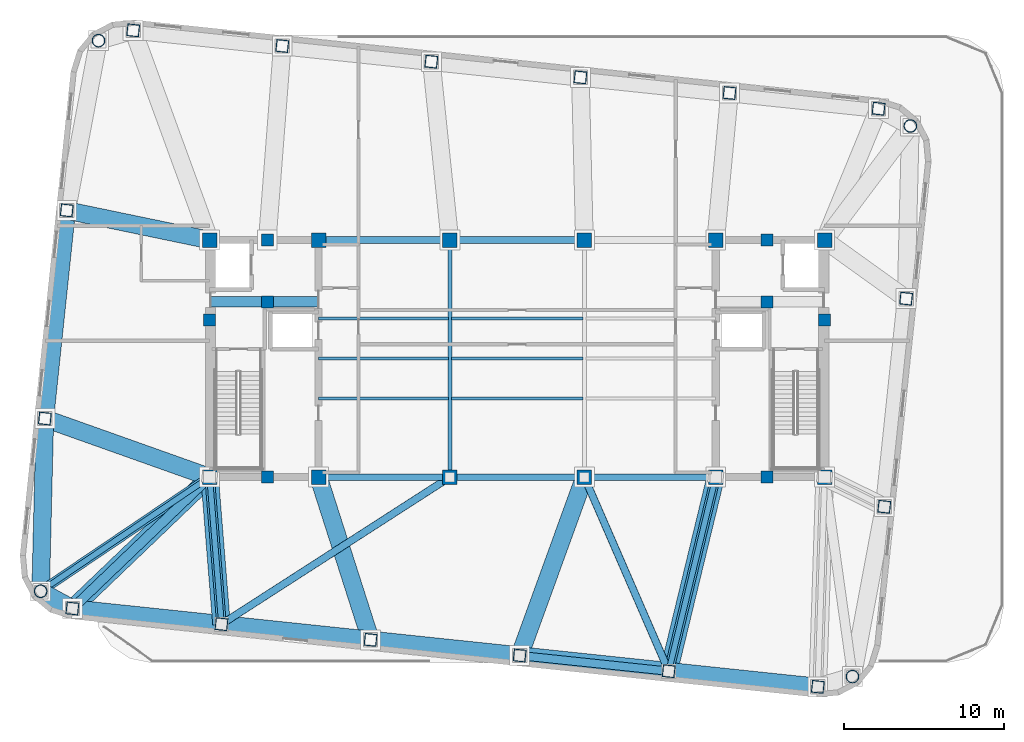
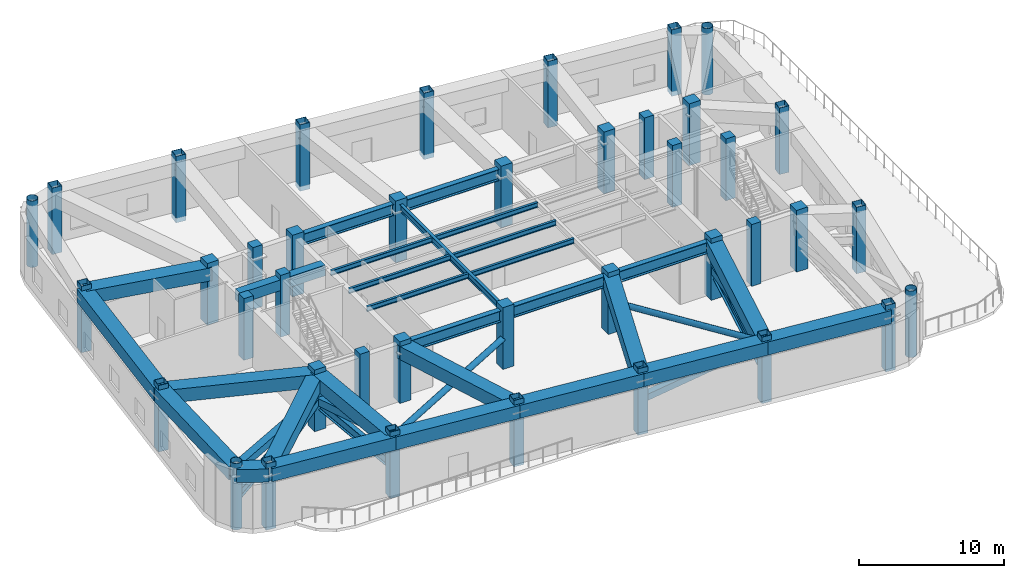
# One storey, part 1 of 9: 40 columns, 31 beams, 7 members.
"""IFC4 building model written with IfcOpenShell, lengths in metres."""

from ifc_helpers import new_model, si_unit, direction, frame, origin, origin_2d, place, context, subcontext, project, spatial, rectangle, hollow_rectangle, hollow_circle, i_section, extrude, material, material_profile, profile_set, type_object, element, save


model = new_model("IFC4")

# Units and contexts
model_context = context("Model", 3, precision=1e-05, world=origin(), true_north=direction((0.0, 1.0)))
body_context = subcontext(model_context, "Body", "Model", "MODEL_VIEW")
ifc_project = project(units=[si_unit("LENGTHUNIT", "METRE"), si_unit("AREAUNIT", "SQUARE_METRE"), si_unit("VOLUMEUNIT", "CUBIC_METRE"), si_unit("PLANEANGLEUNIT", "RADIAN"), si_unit("MASSUNIT", "GRAM", prefix="KILO")], contexts=[model_context])

# Site, building, storey
site_placement = place(None, origin())
site = spatial("IfcSite", under=ifc_project, at=site_placement, CompositionType="ELEMENT")
building_placement = place(site_placement, origin())
building = spatial("IfcBuilding", under=site, at=building_placement, Name="Voryun Gate Residences", CompositionType="ELEMENT")
storey_placement = place(building_placement, frame((0.0, 0.0, 254.800048828125)))
storey = spatial("IfcBuildingStorey", under=building, at=storey_placement, Name="L63", CompositionType="ELEMENT", Elevation=254.800048828125)

# Columns
ifc_material_1 = material(Name="Concrete C50/60", Category="concrete")
ifc_material_profile_1 = material_profile(ifc_material_1, rectangle(XDim=0.75, YDim=0.75, at=origin_2d()), Name="RC-750x750")
ifc_profile_set_1 = profile_set([ifc_material_profile_1], Name="Concrete C50/60")
column_type_1 = type_object("IfcColumnType", Name="COL_CORE_750", PredefinedType="COLUMN", material=ifc_profile_set_1)
for number, where, z_axis, x_axis, name in (
    (1, (-19.199951171875, 2.39990234375, 0.0), (0.0, 0.0, 1.0), (1.0, 0.0, 0.0), "L63 Core boundary column WC-MW"),
    (2, (-15.60009765625, -7.39990234375, 0.0), (0.0, 0.0, 1.0), (1.0, 0.0, 0.0), "L63 Core boundary column WC-SM"),
    (3, (-15.60009765625, 7.39990234375, 0.0), (0.0, 0.0, 1.0), (1.0, 0.0, 0.0), "L63 Core boundary column WC-NM"),
    (4, (-15.60009765625, 3.550048828125, 0.0), (0.0, 0.0, 1.0), (1.0, 0.0, 0.0), "L63 Core boundary column WC-MM"),
    (5, (15.60009765625, 3.550048828125, 0.0), (0.0, 0.0, 1.0), (1.0, 0.0, 0.0), "L63 Core boundary column EC-MM"),
    (6, (15.60009765625, -7.39990234375, 0.0), (0.0, 0.0, 1.0), (1.0, 0.0, 0.0), "L63 Core boundary column EC-SM"),
    (7, (15.60009765625, 7.39990234375, 0.0), (0.0, 0.0, 1.0), (1.0, 0.0, 0.0), "L63 Core boundary column EC-NM"),
    (8, (19.199951171875, 2.39990234375, 0.0), (0.0, 0.0, 1.0), (1.0, 0.0, 0.0), "L63 Core boundary column EC-ME"),
):
    element("IfcColumn", number, at=place(storey_placement, frame(where, z_axis=z_axis, x_axis=x_axis)), inside=storey, type_object=column_type_1, Name=name, PredefinedType="COLUMN", context=body_context, shape_type="SweptSolid", body=[
        extrude(rectangle(XDim=0.75, YDim=0.75, at=origin_2d()), origin(), (0.0, 0.0, 1.0), 5.199951171875),
    ])
ifc_material_2 = material(Name="Concrete C50/60", Category="concrete")
ifc_material_profile_2 = material_profile(ifc_material_2, rectangle(XDim=0.89990234375, YDim=0.89990234375, at=origin_2d()), Name="RC-900x900")
ifc_profile_set_2 = profile_set([ifc_material_profile_2], Name="Concrete C50/60")
column_type_2 = type_object("IfcColumnType", Name="COL_CORE_900", PredefinedType="COLUMN", material=ifc_profile_set_2)
for number, where, z_axis, x_axis, name in (
    (9, (-19.199951171875, -7.39990234375, 0.0), (0.0, 0.0, 1.0), (1.0, 0.0, 0.0), "L63 Core boundary column WC-SW"),
    (10, (-19.199951171875, 7.39990234375, 0.0), (0.0, 0.0, 1.0), (1.0, 0.0, 0.0), "L63 Core boundary column WC-NW"),
    (11, (-12.39990234375, -7.39990234375, 0.0), (0.0, 0.0, 1.0), (1.0, 0.0, 0.0), "L63 Core boundary column WC-SE"),
    (12, (-12.39990234375, 7.39990234375, 0.0), (0.0, 0.0, 1.0), (1.0, 0.0, 0.0), "L63 Core boundary column WC-NE"),
    (13, (12.39990234375, -7.39990234375, 0.0), (0.0, 0.0, 1.0), (1.0, 0.0, 0.0), "L63 Core boundary column EC-SW"),
    (14, (12.39990234375, 7.39990234375, 0.0), (0.0, 0.0, 1.0), (1.0, 0.0, 0.0), "L63 Core boundary column EC-NW"),
    (15, (19.199951171875, -7.39990234375, 0.0), (0.0, 0.0, 1.0), (1.0, 0.0, 0.0), "L63 Core boundary column EC-SE"),
    (16, (19.199951171875, 7.39990234375, 0.0), (0.0, 0.0, 1.0), (1.0, 0.0, 0.0), "L63 Core boundary column EC-NE"),
    (17, (-4.199951171875, -7.39990234375, 0.0), (0.0, 0.0, 1.0), (1.0, 0.0, 0.0), "L63 Interior spine column SP-WS"),
    (18, (-4.199951171875, 7.39990234375, 0.0), (0.0, 0.0, 1.0), (1.0, 0.0, 0.0), "L63 Interior spine column SP-WN"),
    (19, (4.199951171875, -7.39990234375, 0.0), (0.0, 0.0, 1.0), (1.0, 0.0, 0.0), "L63 Interior spine column SP-ES"),
    (20, (4.199951171875, 7.39990234375, 0.0), (0.0, 0.0, 1.0), (1.0, 0.0, 0.0), "L63 Interior spine column SP-EN"),
):
    element("IfcColumn", number, at=place(storey_placement, frame(where, z_axis=z_axis, x_axis=x_axis)), inside=storey, type_object=column_type_2, Name=name, PredefinedType="COLUMN", context=body_context, shape_type="SweptSolid", body=[
        extrude(rectangle(XDim=0.89990234375, YDim=0.89990234375, at=origin_2d()), origin(), (0.0, 0.0, 1.0), 5.199951171875),
    ])
ifc_material_3 = material(Name="Steel SM355", Category="steel")
ifc_material_profile_3 = material_profile(ifc_material_3, hollow_circle(Radius=0.39990234375, WallThickness=0.028076171875, at=origin_2d()), Name="CHS-800x28")
ifc_profile_set_3 = profile_set([ifc_material_profile_3], Name="Steel SM355")
column_type_3 = type_object("IfcColumnType", Name="COL_CRN_800", PredefinedType="COLUMN", material=ifc_profile_set_3)
for number, where, z_axis, x_axis, name in (
    (21, (20.939453125, -19.855224609375, -0.400146484375), (0.0, 0.0, 1.0), (0.994521895368, -0.104528463268, 0.0), "L63 Exoskeleton column CSE"),
    (22, (24.55322265625, 14.52734375, -0.400146484375), (0.0, 0.0, 1.0), (0.994521895368, -0.104528463268, 0.0), "L63 Exoskeleton column CNE"),
    (23, (-26.139404296875, 19.855224609375, -0.400146484375), (0.0, 0.0, 1.0), (0.994521895368, -0.104528463268, 0.0), "L63 Exoskeleton column CNW"),
    (24, (-29.753173828125, -14.52734375, -0.400146484375), (0.0, 0.0, 1.0), (0.994521895368, -0.104528463268, 0.0), "L63 Exoskeleton column CSW"),
):
    element("IfcColumn", number, at=place(storey_placement, frame(where, z_axis=z_axis, x_axis=x_axis)), inside=storey, type_object=column_type_3, Name=name, PredefinedType="COLUMN", context=body_context, shape_type="SweptSolid", body=[
        extrude(hollow_circle(Radius=0.39990234375, WallThickness=0.028076171875, at=origin_2d()), origin(), (0.0, 0.0, 1.0), 5.60009765625),
    ])
ifc_material_4 = material(Name="Steel SM355", Category="steel")
ifc_material_profile_4 = material_profile(ifc_material_4, hollow_rectangle(XDim=0.75, YDim=0.75, WallThickness=0.02490234375, at=origin_2d()), Name="BOX-750x750x25")
ifc_profile_set_4 = profile_set([ifc_material_profile_4], Name="Steel SM355")
column_type_4 = type_object("IfcColumnType", Name="COL_EXO_B5", PredefinedType="COLUMN", material=ifc_profile_set_4)
for number, where, z_axis, x_axis, name in (
    (25, (-27.76904296875, -15.6044921875, -0.400146484375), (0.0, 0.0, 1.0), (0.994521895368, -0.104528463268, 0.0), "L63 Exoskeleton column S1"),
    (26, (-18.460205078125, -16.5830078125, -0.400146484375), (0.0, 0.0, 1.0), (0.994521895368, -0.104528463268, 0.0), "L63 Exoskeleton column S2"),
    (27, (-9.151611328125, -17.561279296875, -0.400146484375), (0.0, 0.0, 1.0), (0.994521895368, -0.104528463268, 0.0), "L63 Exoskeleton column S3"),
    (28, (0.1572265625, -18.539794921875, -0.400146484375), (0.0, 0.0, 1.0), (0.994521895368, -0.104528463268, 0.0), "L63 Exoskeleton column S4"),
    (29, (9.4658203125, -19.51806640625, -0.400146484375), (0.0, 0.0, 1.0), (0.994521895368, -0.104528463268, 0.0), "L63 Exoskeleton column S5"),
    (30, (18.774658203125, -20.49658203125, -0.400146484375), (0.0, 0.0, 1.0), (0.994521895368, -0.104528463268, 0.0), "L63 Exoskeleton column S6"),
    (31, (22.922607421875, -9.25244140625, -0.400146484375), (0.0, 0.0, 1.0), (0.994521895368, -0.104528463268, 0.0), "L63 Exoskeleton column E1"),
    (32, (24.28857421875, 3.743896484375, -0.400146484375), (0.0, 0.0, 1.0), (0.994521895368, -0.104528463268, 0.0), "L63 Exoskeleton column E2"),
    (33, (22.569091796875, 15.6044921875, -0.400146484375), (0.0, 0.0, 1.0), (0.994521895368, -0.104528463268, 0.0), "L63 Exoskeleton column N1"),
    (34, (13.26025390625, 16.5830078125, -0.400146484375), (0.0, 0.0, 1.0), (0.994521895368, -0.104528463268, 0.0), "L63 Exoskeleton column N2"),
    (35, (3.95166015625, 17.561279296875, -0.400146484375), (0.0, 0.0, 1.0), (0.994521895368, -0.104528463268, 0.0), "L63 Exoskeleton column N3"),
    (36, (-5.357177734375, 18.539794921875, -0.400146484375), (0.0, 0.0, 1.0), (0.994521895368, -0.104528463268, 0.0), "L63 Exoskeleton column N4"),
    (37, (-14.666015625, 19.51806640625, -0.400146484375), (0.0, 0.0, 1.0), (0.994521895368, -0.104528463268, 0.0), "L63 Exoskeleton column N5"),
    (38, (-23.974609375, 20.49658203125, -0.400146484375), (0.0, 0.0, 1.0), (0.994521895368, -0.104528463268, 0.0), "L63 Exoskeleton column N6"),
    (39, (-28.12255859375, 9.25244140625, -0.400146484375), (0.0, 0.0, 1.0), (0.994521895368, -0.104528463268, 0.0), "L63 Exoskeleton column W1"),
    (40, (-29.488525390625, -3.743896484375, -0.400146484375), (0.0, 0.0, 1.0), (0.994521895368, -0.104528463268, 0.0), "L63 Exoskeleton column W2"),
):
    element("IfcColumn", number, at=place(storey_placement, frame(where, z_axis=z_axis, x_axis=x_axis)), inside=storey, type_object=column_type_4, Name=name, PredefinedType="COLUMN", context=body_context, shape_type="SweptSolid", body=[
        extrude(hollow_rectangle(XDim=0.75, YDim=0.75, WallThickness=0.02490234375, at=origin_2d()), origin(), (0.0, 0.0, 1.0), 5.60009765625),
    ])

# Beams
ifc_material_5 = material(Name="Steel SM420", Category="steel")
ifc_material_profile_5 = material_profile(ifc_material_5, hollow_rectangle(XDim=1.10009765625, YDim=1.10009765625, WallThickness=0.035888671875, at=origin_2d()), Name="BOX-1100x1100x36")
ifc_profile_set_5 = profile_set([ifc_material_profile_5], Name="Steel SM420")
beam_type_1 = type_object("IfcBeamType", Name="BM_ARCH_RIB", PredefinedType="USERDEFINED", material=ifc_profile_set_5)
beam_1_placement = place(storey_placement, frame((-27.76904296875, -15.6044921875, 4.25), z_axis=(0.994520592114, -0.104540862157, 0.0), x_axis=(0.104540862157, 0.994520592114, 0.0)))
element("IfcBeam", 41, at=beam_1_placement, inside=storey, type_object=beam_type_1, Name="BM-L63-SPAND-01", ObjectType="GIRDER", PredefinedType="USERDEFINED", context=body_context, shape_type="SweptSolid", body=[
    extrude(hollow_rectangle(XDim=1.10009765625, YDim=1.10009765625, WallThickness=0.035888671875, at=origin_2d()), origin(), (0.0, 0.0, 1.0), 9.360107421875),
])
beam_2_placement = place(storey_placement, frame((-18.460205078125, -16.5830078125, 4.25), z_axis=(0.994523018663, -0.104517775278, 0.0), x_axis=(0.104517775278, 0.994523018663, 0.0)))
element("IfcBeam", 42, at=beam_2_placement, inside=storey, type_object=beam_type_1, Name="BM-L63-SPAND-02", ObjectType="GIRDER", PredefinedType="USERDEFINED", context=body_context, shape_type="SweptSolid", body=[
    extrude(hollow_rectangle(XDim=1.10009765625, YDim=1.10009765625, WallThickness=0.035888671875, at=origin_2d()), origin(), (0.0, 0.0, 1.0), 9.35986328125),
])
beam_3_placement = place(storey_placement, frame((-9.151611328125, -17.561279296875, 4.25), z_axis=(0.994520592114, -0.104540862157, 0.0), x_axis=(0.104540862157, 0.994520592114, 0.0)))
element("IfcBeam", 43, at=beam_3_placement, inside=storey, type_object=beam_type_1, Name="BM-L63-SPAND-03", ObjectType="GIRDER", PredefinedType="USERDEFINED", context=body_context, shape_type="SweptSolid", body=[
    extrude(hollow_rectangle(XDim=1.10009765625, YDim=1.10009765625, WallThickness=0.035888671875, at=origin_2d()), origin(), (0.0, 0.0, 1.0), 9.360107421875),
])
beam_4_placement = place(storey_placement, frame((0.1572265625, -18.539794921875, 4.25), z_axis=(0.994523018663, -0.104517775278, 0.0), x_axis=(0.104517775278, 0.994523018663, 0.0)))
element("IfcBeam", 44, at=beam_4_placement, inside=storey, type_object=beam_type_1, Name="BM-L63-SPAND-04", ObjectType="GIRDER", PredefinedType="USERDEFINED", context=body_context, shape_type="SweptSolid", body=[
    extrude(hollow_rectangle(XDim=1.10009765625, YDim=1.10009765625, WallThickness=0.035888671875, at=origin_2d()), origin(), (0.0, 0.0, 1.0), 9.35986328125),
])
beam_5_placement = place(storey_placement, frame((9.4658203125, -19.51806640625, 4.25), z_axis=(0.994520592114, -0.104540862157, 0.0), x_axis=(0.104540862157, 0.994520592114, 0.0)))
element("IfcBeam", 45, at=beam_5_placement, inside=storey, type_object=beam_type_1, Name="BM-L63-SPAND-05", ObjectType="GIRDER", PredefinedType="USERDEFINED", context=body_context, shape_type="SweptSolid", body=[
    extrude(hollow_rectangle(XDim=1.10009765625, YDim=1.10009765625, WallThickness=0.035888671875, at=origin_2d()), origin(), (0.0, 0.0, 1.0), 9.360107421875),
])
beam_6_placement = place(storey_placement, frame((-28.12255859375, 9.25244140625, 4.25), z_axis=(-0.104528209082, -0.994521922084, 0.0), x_axis=(0.994521922084, -0.104528209082, 0.0)))
element("IfcBeam", 46, at=beam_6_placement, inside=storey, type_object=beam_type_1, Name="BM-L63-SPAND-18", ObjectType="GIRDER", PredefinedType="USERDEFINED", context=body_context, shape_type="SweptSolid", body=[
    extrude(hollow_rectangle(XDim=1.10009765625, YDim=1.10009765625, WallThickness=0.035888671875, at=origin_2d()), origin(), (0.0, 0.0, 1.0), 13.06787109375),
])
beam_7_placement = place(storey_placement, frame((-29.488525390625, -3.743896484375, 4.25), z_axis=(-0.024534711967, -0.999698978647, 0.0), x_axis=(0.999698978647, -0.024534711967, 0.0)))
element("IfcBeam", 47, at=beam_7_placement, inside=storey, type_object=beam_type_1, Name="BM-L63-SPAND-19", ObjectType="GIRDER", PredefinedType="USERDEFINED", context=body_context, shape_type="SweptSolid", body=[
    extrude(hollow_rectangle(XDim=1.10009765625, YDim=1.10009765625, WallThickness=0.035888671875, at=origin_2d()), origin(), (0.0, 0.0, 1.0), 10.78662109375),
])
beam_8_placement = place(storey_placement, frame((-29.753173828125, -14.52734375, 4.25), z_axis=(0.878844363117, -0.477108567746, 0.0), x_axis=(0.477108567746, 0.878844363117, 0.0)))
element("IfcBeam", 48, at=beam_8_placement, inside=storey, type_object=beam_type_1, Name="BM-L63-SPAND-20", ObjectType="GIRDER", PredefinedType="USERDEFINED", context=body_context, shape_type="SweptSolid", body=[
    extrude(hollow_rectangle(XDim=1.10009765625, YDim=1.10009765625, WallThickness=0.035888671875, at=origin_2d()), origin(), (0.0, 0.0, 1.0), 2.257568359375),
])
beam_9_placement = place(storey_placement, frame((-19.199951171875, -7.39990234375, 4.25), z_axis=(-0.722302104769, -0.691577666966, 0.0), x_axis=(0.691577666966, -0.722302104769, 0.0)))
element("IfcBeam", 49, at=beam_9_placement, inside=storey, type_object=beam_type_1, Name="BM-L63-RAD-S1", ObjectType="GIRDER", PredefinedType="USERDEFINED", context=body_context, shape_type="SweptSolid", body=[
    extrude(hollow_rectangle(XDim=1.10009765625, YDim=1.10009765625, WallThickness=0.035888671875, at=origin_2d()), origin(), (0.0, 0.0, 1.0), 11.863525390625),
])
beam_10_placement = place(storey_placement, frame((-19.199951171875, -7.39990234375, 4.25), z_axis=(0.080295011504, -0.996771142804, 0.0), x_axis=(0.996771142804, 0.080295011504, 0.0)))
element("IfcBeam", 50, at=beam_10_placement, inside=storey, type_object=beam_type_1, Name="BM-L63-RAD-S2", ObjectType="GIRDER", PredefinedType="USERDEFINED", context=body_context, shape_type="SweptSolid", body=[
    extrude(hollow_rectangle(XDim=1.10009765625, YDim=1.10009765625, WallThickness=0.035888671875, at=origin_2d()), origin(), (0.0, 0.0, 1.0), 9.212890625),
])
beam_11_placement = place(storey_placement, frame((-12.39990234375, -7.39990234375, 4.25), z_axis=(0.30449089095, -0.952515247819, 0.0), x_axis=(0.952515247819, 0.30449089095, 0.0)))
element("IfcBeam", 51, at=beam_11_placement, inside=storey, type_object=beam_type_1, Name="BM-L63-RAD-S3", ObjectType="GIRDER", PredefinedType="USERDEFINED", context=body_context, shape_type="SweptSolid", body=[
    extrude(hollow_rectangle(XDim=1.10009765625, YDim=1.10009765625, WallThickness=0.035888671875, at=origin_2d()), origin(), (0.0, 0.0, 1.0), 10.66796875),
])
beam_12_placement = place(storey_placement, frame((4.199951171875, -7.39990234375, 4.25), z_axis=(-0.341135931896, -0.940013976476, 0.0), x_axis=(0.940013976476, -0.341135931896, 0.0)))
element("IfcBeam", 52, at=beam_12_placement, inside=storey, type_object=beam_type_1, Name="BM-L63-RAD-S4", ObjectType="GIRDER", PredefinedType="USERDEFINED", context=body_context, shape_type="SweptSolid", body=[
    extrude(hollow_rectangle(XDim=1.10009765625, YDim=1.10009765625, WallThickness=0.035888671875, at=origin_2d()), origin(), (0.0, 0.0, 1.0), 11.850830078125),
])
beam_13_placement = place(storey_placement, frame((12.39990234375, -7.39990234375, 4.25), z_axis=(-0.235323166357, -0.971917181336, 0.0), x_axis=(0.971917181336, -0.235323166357, 0.0)))
element("IfcBeam", 53, at=beam_13_placement, inside=storey, type_object=beam_type_1, Name="BM-L63-RAD-S5", ObjectType="GIRDER", PredefinedType="USERDEFINED", context=body_context, shape_type="SweptSolid", body=[
    extrude(hollow_rectangle(XDim=1.10009765625, YDim=1.10009765625, WallThickness=0.035888671875, at=origin_2d()), origin(), (0.0, 0.0, 1.0), 12.46826171875),
])
beam_14_placement = place(storey_placement, frame((-19.199951171875, 7.39990234375, 4.25), z_axis=(-0.979119049711, 0.203287693907, 0.0), x_axis=(-0.203287693907, -0.979119049711, 0.0)))
element("IfcBeam", 54, at=beam_14_placement, inside=storey, type_object=beam_type_1, Name="BM-L63-RAD-W1", ObjectType="GIRDER", PredefinedType="USERDEFINED", context=body_context, shape_type="SweptSolid", body=[
    extrude(hollow_rectangle(XDim=1.10009765625, YDim=1.10009765625, WallThickness=0.035888671875, at=origin_2d()), origin(), (0.0, 0.0, 1.0), 9.11279296875),
])
beam_15_placement = place(storey_placement, frame((-19.199951171875, -7.39990234375, 4.25), z_axis=(-0.942276939669, 0.334834539688, 0.0), x_axis=(-0.334834539688, -0.942276939669, 0.0)))
element("IfcBeam", 55, at=beam_15_placement, inside=storey, type_object=beam_type_1, Name="BM-L63-RAD-W2", ObjectType="GIRDER", PredefinedType="USERDEFINED", context=body_context, shape_type="SweptSolid", body=[
    extrude(hollow_rectangle(XDim=1.10009765625, YDim=1.10009765625, WallThickness=0.035888671875, at=origin_2d()), origin(), (0.0, 0.0, 1.0), 10.9189453125),
])
ifc_material_6 = material(Name="Concrete C60/75", Category="concrete")
ifc_material_profile_6 = material_profile(ifc_material_6, rectangle(XDim=0.64990234375, YDim=0.89990234375, at=origin_2d()), Name="RC-650x900")
ifc_profile_set_6 = profile_set([ifc_material_profile_6], Name="Concrete C60/75")
beam_type_2 = type_object("IfcBeamType", Name="BM_COUP_RC900", PredefinedType="LINTEL", material=ifc_profile_set_6)
beam_16_placement = place(storey_placement, frame((-19.199951171875, 3.550048828125, 4.349853515625), z_axis=(1.0, 0.0, 0.0), x_axis=(0.0, 1.0, 0.0)))
element("IfcBeam", 56, at=beam_16_placement, inside=storey, type_object=beam_type_2, Name="BM-L63-WC1", PredefinedType="LINTEL", context=body_context, shape_type="SweptSolid", body=[
    extrude(rectangle(XDim=0.64990234375, YDim=0.89990234375, at=origin_2d()), origin(), (0.0, 0.0, 1.0), 6.800048828125),
])
ifc_material_7 = material(Name="Steel SM355", Category="steel")
ifc_material_profile_7 = material_profile(ifc_material_7, i_section(OverallWidth=0.239990234375, OverallDepth=0.550048828125, WebThickness=0.011962890625, FlangeThickness=0.02001953125, FilletRadius=0.01806640625, at=origin_2d()), Name="H-550x240x12x20")
ifc_profile_set_7 = profile_set([ifc_material_profile_7], Name="Steel SM355")
beam_type_3 = type_object("IfcBeamType", Name="BM_GIRD_550", PredefinedType="USERDEFINED", material=ifc_profile_set_7)
beam_17_placement = place(storey_placement, frame((-4.199951171875, -7.39990234375, 4.52490234375), z_axis=(0.0, 1.0, 0.0), x_axis=(-1.0, 0.0, 0.0)))
element("IfcBeam", 57, at=beam_17_placement, inside=storey, type_object=beam_type_3, Name="BM-L63-SPX-W", ObjectType="GIRDER", PredefinedType="USERDEFINED", context=body_context, shape_type="SweptSolid", body=[
    extrude(i_section(OverallWidth=0.239990234375, OverallDepth=0.550048828125, WebThickness=0.011962890625, FlangeThickness=0.02001953125, FilletRadius=0.01806640625, at=origin_2d()), origin(), (0.0, 0.0, 1.0), 14.7998046875),
])
ifc_material_8 = material(Name="Steel SM420", Category="steel")
ifc_material_profile_8 = material_profile(ifc_material_8, i_section(OverallWidth=0.360107421875, OverallDepth=0.800048828125, WebThickness=0.01611328125, FlangeThickness=0.030029296875, FilletRadius=0.01806640625, at=origin_2d()), Name="H-800x360x16x30")
ifc_profile_set_8 = profile_set([ifc_material_profile_8], Name="Steel SM420")
beam_type_4 = type_object("IfcBeamType", Name="BM_OUTRIGGER_CHD", PredefinedType="USERDEFINED", material=ifc_profile_set_8)
beam_18_placement = place(storey_placement, frame((-19.199951171875, -7.39990234375, 2.14990234375), z_axis=(-0.82870240322, -0.559689491501, 0.0), x_axis=(0.559689491501, -0.82870240322, 0.0)))
element("IfcBeam", 58, at=beam_18_placement, inside=storey, type_object=beam_type_4, Name="BM-L63-OUTCHD-CSW", ObjectType="GIRDER", PredefinedType="USERDEFINED", context=body_context, shape_type="SweptSolid", body=[
    extrude(i_section(OverallWidth=0.360107421875, OverallDepth=0.800048828125, WebThickness=0.01611328125, FlangeThickness=0.030029296875, FilletRadius=0.01806640625, at=origin_2d()), origin(), (0.0, 0.0, 1.0), 12.734619140625),
])
beam_19_placement = place(storey_placement, frame((-19.199951171875, -7.39990234375, 2.14990234375), z_axis=(0.080295011504, -0.996771142804, 0.0), x_axis=(0.996771142804, 0.080295011504, 0.0)))
element("IfcBeam", 59, at=beam_19_placement, inside=storey, type_object=beam_type_4, Name="BM-L63-OUTCHD-S2", ObjectType="GIRDER", PredefinedType="USERDEFINED", context=body_context, shape_type="SweptSolid", body=[
    extrude(i_section(OverallWidth=0.360107421875, OverallDepth=0.800048828125, WebThickness=0.01611328125, FlangeThickness=0.030029296875, FilletRadius=0.01806640625, at=origin_2d()), origin(), (0.0, 0.0, 1.0), 9.212890625),
])
beam_20_placement = place(storey_placement, frame((12.39990234375, -7.39990234375, 2.14990234375), z_axis=(-0.235323166357, -0.971917181336, 0.0), x_axis=(0.971917181336, -0.235323166357, 0.0)))
element("IfcBeam", 60, at=beam_20_placement, inside=storey, type_object=beam_type_4, Name="BM-L63-OUTCHD-S5", ObjectType="GIRDER", PredefinedType="USERDEFINED", context=body_context, shape_type="SweptSolid", body=[
    extrude(i_section(OverallWidth=0.360107421875, OverallDepth=0.800048828125, WebThickness=0.01611328125, FlangeThickness=0.030029296875, FilletRadius=0.01806640625, at=origin_2d()), origin(), (0.0, 0.0, 1.0), 12.46826171875),
])
ifc_material_9 = material(Name="Steel SM355", Category="steel")
ifc_material_profile_9 = material_profile(ifc_material_9, i_section(OverallWidth=0.18994140625, OverallDepth=0.419921875, WebThickness=0.009033203125, FlangeThickness=0.01611328125, FilletRadius=0.01806640625, at=origin_2d()), Name="H-420x190x9x16")
ifc_profile_set_9 = profile_set([ifc_material_profile_9], Name="Steel SM355")
beam_type_5 = type_object("IfcBeamType", Name="BM_SEC_420", PredefinedType="BEAM", material=ifc_profile_set_9)
beam_21_placement = place(storey_placement, frame((-12.39990234375, -2.5, 4.58984375), z_axis=(1.0, 0.0, 0.0), x_axis=(0.0, 1.0, 0.0)))
element("IfcBeam", 61, at=beam_21_placement, inside=storey, type_object=beam_type_5, Name="BM-L63-SEC-CS1", PredefinedType="BEAM", context=body_context, shape_type="SweptSolid", body=[
    extrude(i_section(OverallWidth=0.18994140625, OverallDepth=0.419921875, WebThickness=0.009033203125, FlangeThickness=0.01611328125, FilletRadius=0.01806640625, at=origin_2d()), origin(), (0.0, 0.0, 1.0), 8.099853515625),
])
beam_22_placement = place(storey_placement, frame((-4.10009765625, -2.5, 4.58984375), z_axis=(1.0, 0.0, 0.0), x_axis=(0.0, 1.0, 0.0)))
element("IfcBeam", 62, at=beam_22_placement, inside=storey, type_object=beam_type_5, Name="BM-L63-SEC-CS2", PredefinedType="BEAM", context=body_context, shape_type="SweptSolid", body=[
    extrude(i_section(OverallWidth=0.18994140625, OverallDepth=0.419921875, WebThickness=0.009033203125, FlangeThickness=0.01611328125, FilletRadius=0.01806640625, at=origin_2d()), origin(), (0.0, 0.0, 1.0), 8.2001953125),
])
beam_23_placement = place(storey_placement, frame((-12.39990234375, 0.0, 4.58984375), z_axis=(1.0, 0.0, 0.0), x_axis=(0.0, 1.0, 0.0)))
element("IfcBeam", 63, at=beam_23_placement, inside=storey, type_object=beam_type_5, Name="BM-L63-SEC-CM1", PredefinedType="BEAM", context=body_context, shape_type="SweptSolid", body=[
    extrude(i_section(OverallWidth=0.18994140625, OverallDepth=0.419921875, WebThickness=0.009033203125, FlangeThickness=0.01611328125, FilletRadius=0.01806640625, at=origin_2d()), origin(), (0.0, 0.0, 1.0), 8.099853515625),
])
beam_24_placement = place(storey_placement, frame((-4.10009765625, 0.0, 4.58984375), z_axis=(1.0, 0.0, 0.0), x_axis=(0.0, 1.0, 0.0)))
element("IfcBeam", 64, at=beam_24_placement, inside=storey, type_object=beam_type_5, Name="BM-L63-SEC-CM2", PredefinedType="BEAM", context=body_context, shape_type="SweptSolid", body=[
    extrude(i_section(OverallWidth=0.18994140625, OverallDepth=0.419921875, WebThickness=0.009033203125, FlangeThickness=0.01611328125, FilletRadius=0.01806640625, at=origin_2d()), origin(), (0.0, 0.0, 1.0), 8.2001953125),
])
beam_25_placement = place(storey_placement, frame((-12.39990234375, 2.5, 4.58984375), z_axis=(1.0, 0.0, 0.0), x_axis=(0.0, 1.0, 0.0)))
element("IfcBeam", 65, at=beam_25_placement, inside=storey, type_object=beam_type_5, Name="BM-L63-SEC-CN1", PredefinedType="BEAM", context=body_context, shape_type="SweptSolid", body=[
    extrude(i_section(OverallWidth=0.18994140625, OverallDepth=0.419921875, WebThickness=0.009033203125, FlangeThickness=0.01611328125, FilletRadius=0.01806640625, at=origin_2d()), origin(), (0.0, 0.0, 1.0), 8.099853515625),
])
beam_26_placement = place(storey_placement, frame((-4.10009765625, 2.5, 4.58984375), z_axis=(1.0, 0.0, 0.0), x_axis=(0.0, 1.0, 0.0)))
element("IfcBeam", 66, at=beam_26_placement, inside=storey, type_object=beam_type_5, Name="BM-L63-SEC-CN2", PredefinedType="BEAM", context=body_context, shape_type="SweptSolid", body=[
    extrude(i_section(OverallWidth=0.18994140625, OverallDepth=0.419921875, WebThickness=0.009033203125, FlangeThickness=0.01611328125, FilletRadius=0.01806640625, at=origin_2d()), origin(), (0.0, 0.0, 1.0), 8.2001953125),
])
ifc_material_10 = material(Name="Steel SM420", Category="steel")
ifc_material_profile_10 = material_profile(ifc_material_10, i_section(OverallWidth=0.419921875, OverallDepth=0.949951171875, WebThickness=0.02001953125, FlangeThickness=0.035888671875, FilletRadius=0.01806640625, at=origin_2d()), Name="H-950x420x20x36")
ifc_profile_set_10 = profile_set([ifc_material_profile_10], Name="Steel SM420")
beam_type_6 = type_object("IfcBeamType", Name="BM_XFER_950", PredefinedType="USERDEFINED", material=ifc_profile_set_10)
beam_27_placement = place(storey_placement, frame((-12.39990234375, -7.39990234375, 4.324951171875), z_axis=(1.0, 0.0, 0.0), x_axis=(0.0, 1.0, 0.0)))
element("IfcBeam", 67, at=beam_27_placement, inside=storey, type_object=beam_type_6, Name="BM-L63-SPG1-S", ObjectType="GIRDER", PredefinedType="USERDEFINED", context=body_context, shape_type="SweptSolid", body=[
    extrude(i_section(OverallWidth=0.419921875, OverallDepth=0.949951171875, WebThickness=0.02001953125, FlangeThickness=0.035888671875, FilletRadius=0.01806640625, at=origin_2d()), origin(), (0.0, 0.0, 1.0), 8.199951171875),
])
beam_28_placement = place(storey_placement, frame((-4.199951171875, -7.39990234375, 4.324951171875), z_axis=(1.0, 0.0, 0.0), x_axis=(0.0, 1.0, 0.0)))
element("IfcBeam", 68, at=beam_28_placement, inside=storey, type_object=beam_type_6, Name="BM-L63-SPG2-S", ObjectType="GIRDER", PredefinedType="USERDEFINED", context=body_context, shape_type="SweptSolid", body=[
    extrude(i_section(OverallWidth=0.419921875, OverallDepth=0.949951171875, WebThickness=0.02001953125, FlangeThickness=0.035888671875, FilletRadius=0.01806640625, at=origin_2d()), origin(), (0.0, 0.0, 1.0), 8.39990234375),
])
for number, where, z_axis, x_axis, name in (
    (69, (4.199951171875, -7.39990234375, 4.324951171875), (1.0, 0.0, 0.0), (0.0, 1.0, 0.0), "BM-L63-SPG3-S"),
    (70, (-12.39990234375, 7.39990234375, 4.324951171875), (1.0, 0.0, 0.0), (0.0, 1.0, 0.0), "BM-L63-SPG1-N"),
):
    element("IfcBeam", number, at=place(storey_placement, frame(where, z_axis=z_axis, x_axis=x_axis)), inside=storey, type_object=beam_type_6, Name=name, ObjectType="GIRDER", PredefinedType="USERDEFINED", context=body_context, shape_type="SweptSolid", body=[
        extrude(i_section(OverallWidth=0.419921875, OverallDepth=0.949951171875, WebThickness=0.02001953125, FlangeThickness=0.035888671875, FilletRadius=0.01806640625, at=origin_2d()), origin(), (0.0, 0.0, 1.0), 8.199951171875),
    ])
beam_29_placement = place(storey_placement, frame((-4.199951171875, 7.39990234375, 4.324951171875), z_axis=(1.0, 0.0, 0.0), x_axis=(0.0, 1.0, 0.0)))
element("IfcBeam", 71, at=beam_29_placement, inside=storey, type_object=beam_type_6, Name="BM-L63-SPG2-N", ObjectType="GIRDER", PredefinedType="USERDEFINED", context=body_context, shape_type="SweptSolid", body=[
    extrude(i_section(OverallWidth=0.419921875, OverallDepth=0.949951171875, WebThickness=0.02001953125, FlangeThickness=0.035888671875, FilletRadius=0.01806640625, at=origin_2d()), origin(), (0.0, 0.0, 1.0), 8.39990234375),
])

# Members
ifc_material_11 = material(Name="Steel SM420", Category="steel")
ifc_material_profile_11 = material_profile(ifc_material_11, hollow_rectangle(XDim=0.52001953125, YDim=0.52001953125, WallThickness=0.02392578125, at=origin_2d()), Name="BOX-520x520x24")
ifc_profile_set_11 = profile_set([ifc_material_profile_11], Name="Steel SM420")
member_type_1 = type_object("IfcMemberType", Name="MBR_BELT_DIAG", PredefinedType="BRACE", material=ifc_profile_set_11)
member_1_placement = place(storey_placement, frame((0.1572265625, -18.539794921875, 2.39990234375), z_axis=(0.969276816646, -0.101864566835, 0.223888505146), x_axis=(0.104517775278, 0.994523018663, 0.0)))
element("IfcMember", 72, at=member_1_placement, inside=storey, type_object=member_type_1, Name="L63 Mechanical South Belt Truss Diagonal 04", PredefinedType="BRACE", context=body_context, shape_type="SweptSolid", body=[
    extrude(hollow_rectangle(XDim=0.52001953125, YDim=0.52001953125, WallThickness=0.02392578125, at=origin_2d()), origin(), (0.0, 0.0, 1.0), 9.603759765625),
])
ifc_material_12 = material(Name="Steel SM420", Category="steel")
ifc_material_profile_12 = material_profile(ifc_material_12, hollow_circle(Radius=0.22998046875, WallThickness=0.02197265625, at=origin_2d()), Name="CHS-460x22")
ifc_profile_set_12 = profile_set([ifc_material_profile_12], Name="Steel SM420")
member_type_2 = type_object("IfcMemberType", Name="MBR_CANT_STRUT_UP", PredefinedType="STRUT", material=ifc_profile_set_12)
member_2_placement = place(storey_placement, frame((-4.199951171875, -7.39990234375, 2.3798828125), z_axis=(-0.834561895932, -0.537428713467, 0.12114792528), x_axis=(0.54141653616, -0.840754503034, 0.0)))
element("IfcMember", 73, at=member_2_placement, inside=storey, type_object=member_type_2, Name="L63 Upper Mechanical Strut S2", PredefinedType="STRUT", context=body_context, shape_type="SweptSolid", body=[
    extrude(hollow_circle(Radius=0.22998046875, WallThickness=0.02197265625, at=origin_2d()), origin(), (0.0, 0.0, 1.0), 17.087158203125),
])
member_3_placement = place(storey_placement, frame((4.199951171875, -7.39990234375, 2.3798828125), z_axis=(0.393738636781, -0.906097221719, 0.154782785538), x_axis=(0.917150234258, 0.398541651275, 0.0)))
element("IfcMember", 74, at=member_3_placement, inside=storey, type_object=member_type_2, Name="L63 Upper Mechanical Strut S5", PredefinedType="STRUT", context=body_context, shape_type="SweptSolid", body=[
    extrude(hollow_circle(Radius=0.22998046875, WallThickness=0.02197265625, at=origin_2d()), origin(), (0.0, 0.0, 1.0), 13.3740234375),
])
ifc_material_13 = material(Name="Steel SM420", Category="steel")
ifc_material_profile_13 = material_profile(ifc_material_13, hollow_rectangle(XDim=0.60009765625, YDim=0.60009765625, WallThickness=0.028076171875, at=origin_2d()), Name="BOX-600x600x28")
ifc_profile_set_13 = profile_set([ifc_material_profile_13], Name="Steel SM420")
member_type_3 = type_object("IfcMemberType", Name="MBR_OUTRIGGER_DIAG", PredefinedType="BRACE", material=ifc_profile_set_13)
member_4_placement = place(storey_placement, frame((-19.199951171875, -7.39990234375, 2.39990234375), z_axis=(-0.817136879837, -0.551878361864, 0.166486015378), x_axis=(0.559689491501, -0.82870240322, 0.0)))
element("IfcMember", 75, at=member_4_placement, inside=storey, type_object=member_type_3, Name="L63 Outrigger Truss Diagonal CSW", PredefinedType="BRACE", context=body_context, shape_type="SweptSolid", body=[
    extrude(hollow_rectangle(XDim=0.60009765625, YDim=0.60009765625, WallThickness=0.028076171875, at=origin_2d()), origin(), (0.0, 0.0, 1.0), 12.914794921875),
])
member_5_placement = place(storey_placement, frame((-19.199951171875, -7.39990234375, 2.39990234375), z_axis=(-0.710723618712, -0.680491692938, 0.178333938574), x_axis=(0.691577666966, -0.722302104769, 0.0)))
element("IfcMember", 76, at=member_5_placement, inside=storey, type_object=member_type_3, Name="L63 Outrigger Truss Diagonal S1", PredefinedType="BRACE", context=body_context, shape_type="SweptSolid", body=[
    extrude(hollow_rectangle(XDim=0.60009765625, YDim=0.60009765625, WallThickness=0.028076171875, at=origin_2d()), origin(), (0.0, 0.0, 1.0), 12.056884765625),
])
member_6_placement = place(storey_placement, frame((-19.199951171875, -7.39990234375, 2.39990234375), z_axis=(0.078193687818, -0.97068560184, 0.227277824624), x_axis=(0.996771142804, 0.080295011504, 0.0)))
element("IfcMember", 77, at=member_6_placement, inside=storey, type_object=member_type_3, Name="L63 Outrigger Truss Diagonal S2", PredefinedType="BRACE", context=body_context, shape_type="SweptSolid", body=[
    extrude(hollow_rectangle(XDim=0.60009765625, YDim=0.60009765625, WallThickness=0.028076171875, at=origin_2d()), origin(), (0.0, 0.0, 1.0), 9.46044921875),
])
member_7_placement = place(storey_placement, frame((12.39990234375, -7.39990234375, 2.39990234375), z_axis=(-0.231900230676, -0.957779984176, 0.169940533497), x_axis=(0.971917181336, -0.235323166357, 0.0)))
element("IfcMember", 78, at=member_7_placement, inside=storey, type_object=member_type_3, Name="L63 Outrigger Truss Diagonal S5", PredefinedType="BRACE", context=body_context, shape_type="SweptSolid", body=[
    extrude(hollow_rectangle(XDim=0.60009765625, YDim=0.60009765625, WallThickness=0.028076171875, at=origin_2d()), origin(), (0.0, 0.0, 1.0), 12.65234375),
])

save(model, "model.ifc")
